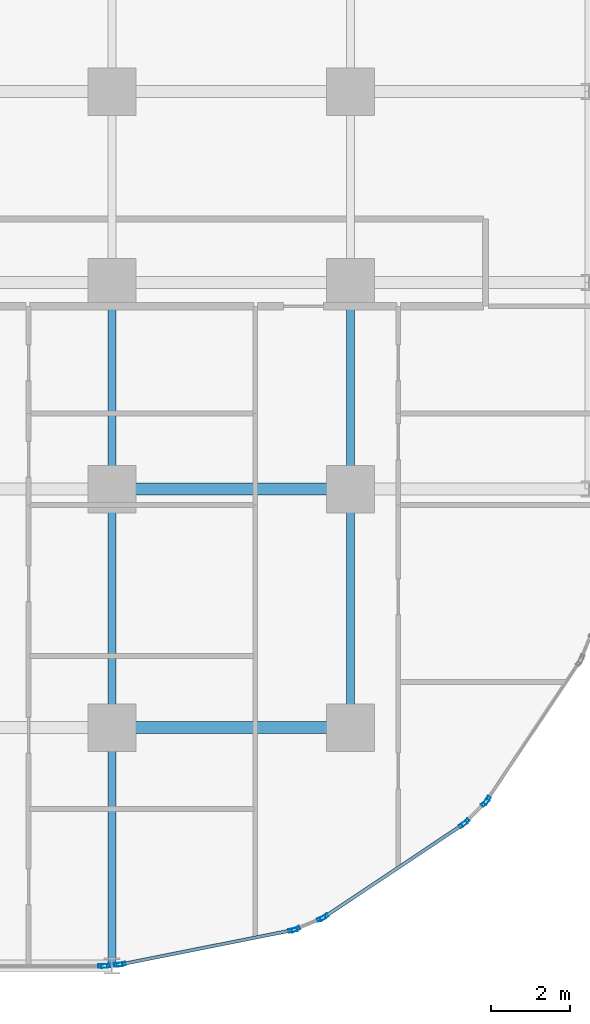
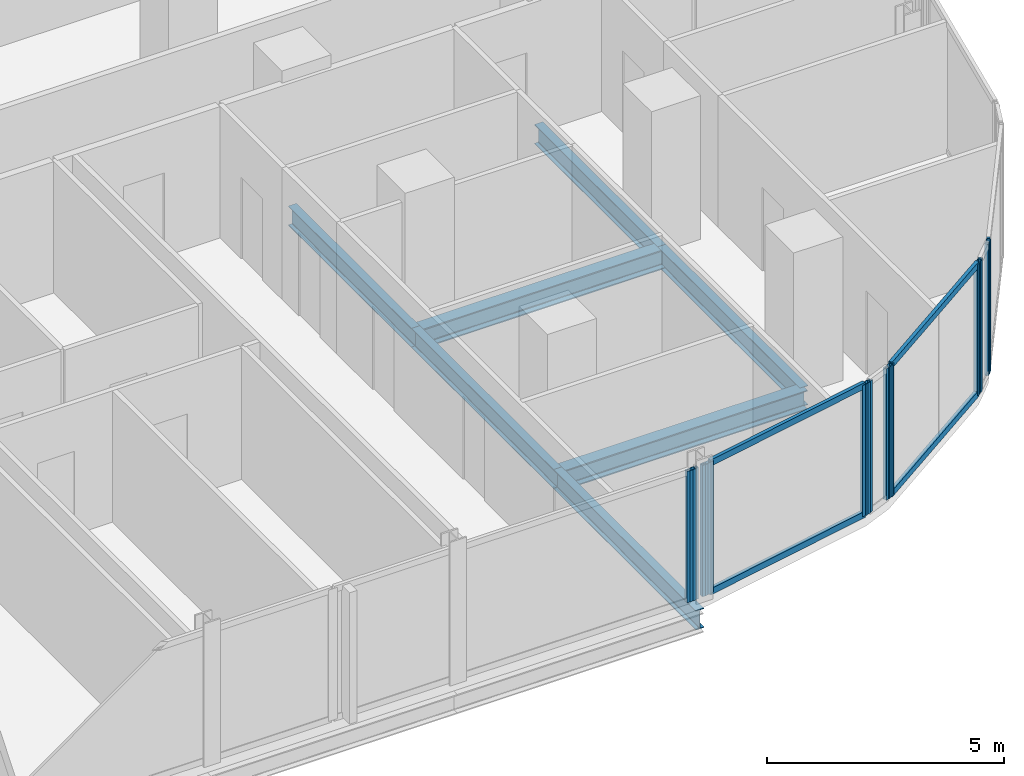
# One storey, part 10 of 34: 16 members, 7 beams, 7 elements without a shape of their own.
"""IFC4 building model written with IfcOpenShell, lengths in metres."""

from ifc_helpers import new_model, si_unit, direction, frame, origin, origin_2d, place, context, subcontext, project, spatial, hollow_rectangle, i_section, extrude, material, layer, layer_set, material_profile, profile_set, type_object, element, aggregate, save


model = new_model("IFC4")

# Units and contexts
model_context = context("Model", 3, precision=1e-05, world=origin(), true_north=direction((0.0, 1.0)))
body_context = subcontext(model_context, "Body", "Model", "MODEL_VIEW")
ifc_project = project(units=[si_unit("LENGTHUNIT", "METRE"), si_unit("AREAUNIT", "SQUARE_METRE"), si_unit("VOLUMEUNIT", "CUBIC_METRE"), si_unit("PLANEANGLEUNIT", "RADIAN"), si_unit("MASSUNIT", "GRAM", prefix="KILO")], contexts=[model_context])

# Site, building, storey
site_placement = place(None, origin())
site = spatial("IfcSite", under=ifc_project, at=site_placement, CompositionType="ELEMENT")
building_placement = place(site_placement, origin())
building = spatial("IfcBuilding", under=site, at=building_placement, Name="Keshet Zoharim Tower", CompositionType="ELEMENT")
storey_placement = place(building_placement, frame((0.0, 0.0, 70.10009765625)))
storey = spatial("IfcBuildingStorey", under=building, at=storey_placement, Name="L16", CompositionType="ELEMENT", Elevation=70.10009765625)

# Beams
ifc_material_1 = material(Name="Steel S355", Category="steel")
ifc_material_profile_1 = material_profile(ifc_material_1, i_section(OverallWidth=0.199951171875, OverallDepth=0.5, WebThickness=0.01025390625, FlangeThickness=0.01611328125, FilletRadius=0.02099609375, at=origin_2d()), Name="IPE500")
ifc_profile_set_1 = profile_set([ifc_material_profile_1], Name="Steel S355")
beam_type_1 = type_object("IfcBeamType", Name="BM-PRI-IP500", PredefinedType="BEAM", material=ifc_profile_set_1)
for number, where, z_axis, x_axis, name in (
    (1, (57.0, 0.699951171875, -0.565185546875), (0.0, 1.0, 0.0), (-1.0, 0.0, 0.0), "L16 Primary Girder Y-013"),
    (2, (57.0, 6.699951171875, -0.565185546875), (0.0, 1.0, 0.0), (-1.0, 0.0, 0.0), "L16 Primary Girder Y-014"),
):
    element("IfcBeam", number, at=place(storey_placement, frame(where, z_axis=z_axis, x_axis=x_axis)), inside=storey, type_object=beam_type_1, Name=name, PredefinedType="BEAM", context=body_context, shape_type="SweptSolid", body=[
        extrude(i_section(OverallWidth=0.199951171875, OverallDepth=0.5, WebThickness=0.01025390625, FlangeThickness=0.01611328125, FilletRadius=0.02099609375, at=origin_2d()), origin(), (0.0, 0.0, 1.0), 6.0),
    ])
beam_1_placement = place(storey_placement, frame((57.0, 12.699951171875, -0.565185546875), z_axis=(0.0, 1.0, 0.0), x_axis=(-1.0, 0.0, 0.0)))
element("IfcBeam", 3, at=beam_1_placement, inside=storey, type_object=beam_type_1, Name="L16 Primary Girder Y-015", PredefinedType="BEAM", context=body_context, shape_type="SweptSolid", body=[
    extrude(i_section(OverallWidth=0.199951171875, OverallDepth=0.5, WebThickness=0.01025390625, FlangeThickness=0.01611328125, FilletRadius=0.02099609375, at=origin_2d()), origin(), (0.0, 0.0, 1.0), 5.199951171875),
])
beam_2_placement = place(storey_placement, frame((63.0, 6.699951171875, -0.565185546875), z_axis=(0.0, 1.0, 0.0), x_axis=(-1.0, 0.0, 0.0)))
element("IfcBeam", 4, at=beam_2_placement, inside=storey, type_object=beam_type_1, Name="L16 Primary Girder Y-018", PredefinedType="BEAM", context=body_context, shape_type="SweptSolid", body=[
    extrude(i_section(OverallWidth=0.199951171875, OverallDepth=0.5, WebThickness=0.01025390625, FlangeThickness=0.01611328125, FilletRadius=0.02099609375, at=origin_2d()), origin(), (0.0, 0.0, 1.0), 6.0),
])
beam_3_placement = place(storey_placement, frame((63.0, 12.699951171875, -0.565185546875), z_axis=(0.0, 1.0, 0.0), x_axis=(-1.0, 0.0, 0.0)))
element("IfcBeam", 5, at=beam_3_placement, inside=storey, type_object=beam_type_1, Name="L16 Primary Girder Y-019", PredefinedType="BEAM", context=body_context, shape_type="SweptSolid", body=[
    extrude(i_section(OverallWidth=0.199951171875, OverallDepth=0.5, WebThickness=0.01025390625, FlangeThickness=0.01611328125, FilletRadius=0.02099609375, at=origin_2d()), origin(), (0.0, 0.0, 1.0), 5.199951171875),
])
ifc_material_profile_2 = material_profile(ifc_material_1, i_section(OverallWidth=0.300048828125, OverallDepth=0.5, WebThickness=0.014404296875, FlangeThickness=0.028076171875, FilletRadius=0.027099609375, at=origin_2d()), Name="HEB500")
ifc_profile_set_2 = profile_set([ifc_material_profile_2], Name="Steel S355")
beam_type_2 = type_object("IfcBeamType", Name="BM-WEB-HB500", PredefinedType="BEAM", material=ifc_profile_set_2)
for number, where, z_axis, x_axis, name in (
    (6, (57.0, 6.699951171875, -0.565185546875), (1.0, 0.0, 0.0), (0.0, 1.0, 0.0), "L16 Primary Girder X-010"),
    (7, (57.0, 12.699951171875, -0.565185546875), (1.0, 0.0, 0.0), (0.0, 1.0, 0.0), "L16 Primary Girder X-013"),
):
    element("IfcBeam", number, at=place(storey_placement, frame(where, z_axis=z_axis, x_axis=x_axis)), inside=storey, type_object=beam_type_2, Name=name, PredefinedType="BEAM", context=body_context, shape_type="SweptSolid", body=[
        extrude(i_section(OverallWidth=0.300048828125, OverallDepth=0.5, WebThickness=0.014404296875, FlangeThickness=0.028076171875, FilletRadius=0.027099609375, at=origin_2d()), origin(), (0.0, 0.0, 1.0), 6.0),
    ])

# Curtain wall, member
ifc_material_2 = material(Name="Aluminium 6063-T6", Category="aluminium")
ifc_layer = layer(ifc_material_2, 0.179931640625)
ifc_layer_set = layer_set([ifc_layer], Name="Aluminium 6063-T6")
curtain_wall_type = type_object("IfcCurtainWallType", Name="CW-SYS-01", PredefinedType="NOTDEFINED", material=ifc_layer_set)
curtain_wall_1_placement = place(storey_placement, origin())
curtain_wall_1 = element("IfcCurtainWall", 8, at=curtain_wall_1_placement, inside=storey, type_object=curtain_wall_type, Name="L16 Unitised Curtain Wall 20", PredefinedType="NOTDEFINED")
ifc_material_profile_3 = material_profile(ifc_material_2, hollow_rectangle(XDim=0.090087890625, YDim=0.219970703125, WallThickness=0.0048828125, at=origin_2d()), Name="MUL-90x220")
ifc_profile_set_3 = profile_set([ifc_material_profile_3], Name="Aluminium 6063-T6")
member_type_1 = type_object("IfcMemberType", Name="CWM-M22", PredefinedType="MULLION", material=ifc_profile_set_3)
member_1_placement = place(storey_placement, frame((66.432373046875, 4.8671875, 0.0), z_axis=(0.0, 0.0, 1.0), x_axis=(0.831474282335, -0.555563243758, 0.0)))
member_1 = element("IfcMember", 9, at=member_1_placement, type_object=member_type_1, Name="CW-01 mullion 2", PredefinedType="MULLION", context=body_context, shape_type="SweptSolid", body=[
    extrude(hollow_rectangle(XDim=0.090087890625, YDim=0.219970703125, WallThickness=0.0048828125, at=origin_2d()), origin(), (0.0, 0.0, 1.0), 3.385009765625),
])
aggregate(curtain_wall_1, [member_1])

# Curtain wall, members
curtain_wall_2_placement = place(storey_placement, origin())
curtain_wall_2 = element("IfcCurtainWall", 10, at=curtain_wall_2_placement, inside=storey, type_object=curtain_wall_type, Name="L16 Unitised Curtain Wall 21", PredefinedType="NOTDEFINED")
member_2_placement = place(storey_placement, frame((66.38818359375, 4.813232421875, 0.0), z_axis=(0.0, 0.0, 1.0), x_axis=(0.707106781187, -0.707106781187, 0.0)))
member_2 = element("IfcMember", 11, at=member_2_placement, type_object=member_type_1, Name="CW-01 mullion 1", PredefinedType="MULLION", context=body_context, shape_type="SweptSolid", body=[
    extrude(hollow_rectangle(XDim=0.090087890625, YDim=0.219970703125, WallThickness=0.0048828125, at=origin_2d()), origin(), (0.0, 0.0, 1.0), 3.385009765625),
])
member_3_placement = place(storey_placement, frame((65.88671875, 4.311767578125, 0.0), z_axis=(0.0, 0.0, 1.0), x_axis=(0.707106781187, -0.707106781187, 0.0)))
member_3 = element("IfcMember", 12, at=member_3_placement, type_object=member_type_1, Name="CW-01 mullion 2", PredefinedType="MULLION", context=body_context, shape_type="SweptSolid", body=[
    extrude(hollow_rectangle(XDim=0.090087890625, YDim=0.219970703125, WallThickness=0.0048828125, at=origin_2d()), origin(), (0.0, 0.0, 1.0), 3.385009765625),
])
aggregate(curtain_wall_2, [member_2, member_3])

curtain_wall_3_placement = place(storey_placement, origin())
curtain_wall_3 = element("IfcCurtainWall", 13, at=curtain_wall_3_placement, inside=storey, type_object=curtain_wall_type, Name="L16 Unitised Curtain Wall 22", PredefinedType="NOTDEFINED")
member_4_placement = place(storey_placement, frame((65.8330078125, 4.267578125, 0.0), z_axis=(0.0, 0.0, 1.0), x_axis=(0.555563243758, -0.831474282335, 0.0)))
member_4 = element("IfcMember", 14, at=member_4_placement, type_object=member_type_1, Name="CW-01 mullion 1", PredefinedType="MULLION", context=body_context, shape_type="SweptSolid", body=[
    extrude(hollow_rectangle(XDim=0.090087890625, YDim=0.219970703125, WallThickness=0.0048828125, at=origin_2d()), origin(), (0.0, 0.0, 1.0), 3.385009765625),
])
member_5_placement = place(storey_placement, frame((62.335205078125, 1.930419921875, 0.0), z_axis=(0.0, 0.0, 1.0), x_axis=(0.555563243758, -0.831474282335, 0.0)))
member_5 = element("IfcMember", 15, at=member_5_placement, type_object=member_type_1, Name="CW-01 mullion 2", PredefinedType="MULLION", context=body_context, shape_type="SweptSolid", body=[
    extrude(hollow_rectangle(XDim=0.090087890625, YDim=0.219970703125, WallThickness=0.0048828125, at=origin_2d()), origin(), (0.0, 0.0, 1.0), 3.385009765625),
])

curtain_wall_4_placement = place(storey_placement, origin())
curtain_wall_4 = element("IfcCurtainWall", 16, at=curtain_wall_4_placement, inside=storey, type_object=curtain_wall_type, Name="L16 Unitised Curtain Wall 23", PredefinedType="NOTDEFINED")
member_6_placement = place(storey_placement, frame((62.273681640625, 1.897705078125, 0.0), z_axis=(0.0, 0.0, 1.0), x_axis=(0.383068349739, -0.923720000557, 0.0)))
member_6 = element("IfcMember", 17, at=member_6_placement, type_object=member_type_1, Name="CW-01 mullion 1", PredefinedType="MULLION", context=body_context, shape_type="SweptSolid", body=[
    extrude(hollow_rectangle(XDim=0.090087890625, YDim=0.219970703125, WallThickness=0.0048828125, at=origin_2d()), origin(), (0.0, 0.0, 1.0), 3.385009765625),
])
member_7_placement = place(storey_placement, frame((61.617431640625, 1.62548828125, 0.0), z_axis=(0.0, 0.0, 1.0), x_axis=(0.383068349739, -0.923720000557, 0.0)))
member_7 = element("IfcMember", 18, at=member_7_placement, type_object=member_type_1, Name="CW-01 mullion 2", PredefinedType="MULLION", context=body_context, shape_type="SweptSolid", body=[
    extrude(hollow_rectangle(XDim=0.090087890625, YDim=0.219970703125, WallThickness=0.0048828125, at=origin_2d()), origin(), (0.0, 0.0, 1.0), 3.385009765625),
])
aggregate(curtain_wall_4, [member_6, member_7])

curtain_wall_5_placement = place(storey_placement, origin())
curtain_wall_5 = element("IfcCurtainWall", 19, at=curtain_wall_5_placement, inside=storey, type_object=curtain_wall_type, Name="L16 Unitised Curtain Wall 24", PredefinedType="NOTDEFINED")
member_8_placement = place(storey_placement, frame((61.55078125, 1.605224609375, 0.0), z_axis=(0.0, 0.0, 1.0), x_axis=(0.195171279072, -0.98076917357, 0.0)))
member_8 = element("IfcMember", 20, at=member_8_placement, type_object=member_type_1, Name="CW-01 mullion 1", PredefinedType="MULLION", context=body_context, shape_type="SweptSolid", body=[
    extrude(hollow_rectangle(XDim=0.090087890625, YDim=0.219970703125, WallThickness=0.0048828125, at=origin_2d()), origin(), (0.0, 0.0, 1.0), 3.385009765625),
])
member_9_placement = place(storey_placement, frame((57.227294921875, 0.744873046875, 0.0), z_axis=(0.0, 0.0, 1.0), x_axis=(0.195171279072, -0.98076917357, 0.0)))
member_9 = element("IfcMember", 21, at=member_9_placement, type_object=member_type_1, Name="CW-01 mullion 2", PredefinedType="MULLION", context=body_context, shape_type="SweptSolid", body=[
    extrude(hollow_rectangle(XDim=0.090087890625, YDim=0.219970703125, WallThickness=0.0048828125, at=origin_2d()), origin(), (0.0, 0.0, 1.0), 3.385009765625),
])

curtain_wall_6_placement = place(storey_placement, origin())
curtain_wall_6 = element("IfcCurtainWall", 22, at=curtain_wall_6_placement, inside=storey, type_object=curtain_wall_type, Name="L16 Unitised Curtain Wall 25", PredefinedType="NOTDEFINED")
member_10_placement = place(storey_placement, frame((57.158203125, 0.734619140625, 0.0), z_axis=(0.0, 0.0, 1.0), x_axis=(0.096976648633, -0.995286657009, 0.0)))
member_10 = element("IfcMember", 23, at=member_10_placement, type_object=member_type_1, Name="CW-01 mullion 1", PredefinedType="MULLION", context=body_context, shape_type="SweptSolid", body=[
    extrude(hollow_rectangle(XDim=0.090087890625, YDim=0.219970703125, WallThickness=0.0048828125, at=origin_2d()), origin(), (0.0, 0.0, 1.0), 3.385009765625),
])
member_11_placement = place(storey_placement, frame((56.837890625, 0.703369140625, 0.0), z_axis=(0.0, 0.0, 1.0), x_axis=(0.096976648633, -0.995286657009, 0.0)))
member_11 = element("IfcMember", 24, at=member_11_placement, type_object=member_type_1, Name="CW-01 mullion 2", PredefinedType="MULLION", context=body_context, shape_type="SweptSolid", body=[
    extrude(hollow_rectangle(XDim=0.090087890625, YDim=0.219970703125, WallThickness=0.0048828125, at=origin_2d()), origin(), (0.0, 0.0, 1.0), 3.385009765625),
])
aggregate(curtain_wall_6, [member_10, member_11])

# Curtain wall, member
curtain_wall_7_placement = place(storey_placement, origin())
curtain_wall_7 = element("IfcCurtainWall", 25, at=curtain_wall_7_placement, inside=storey, type_object=curtain_wall_type, Name="L16 Unitised Curtain Wall 26", PredefinedType="NOTDEFINED")
member_12_placement = place(storey_placement, frame((56.76806640625, 0.699951171875, 0.0), z_axis=(0.0, 0.0, 1.0), x_axis=(0.0, -1.0, 0.0)))
member_12 = element("IfcMember", 26, at=member_12_placement, type_object=member_type_1, Name="CW-01 mullion 1", PredefinedType="MULLION", context=body_context, shape_type="SweptSolid", body=[
    extrude(hollow_rectangle(XDim=0.090087890625, YDim=0.219970703125, WallThickness=0.0048828125, at=origin_2d()), origin(), (0.0, 0.0, 1.0), 3.385009765625),
])
aggregate(curtain_wall_7, [member_12])

# Member
ifc_material_profile_4 = material_profile(ifc_material_2, hollow_rectangle(XDim=0.0849609375, YDim=0.159912109375, WallThickness=0.00439453125, at=origin_2d()), Name="TRN-85x160")
ifc_profile_set_4 = profile_set([ifc_material_profile_4], Name="Aluminium 6063-T6")
member_type_2 = type_object("IfcMemberType", Name="CWT-T16", PredefinedType="USERDEFINED", material=ifc_profile_set_4)
member_13_placement = place(storey_placement, frame((65.8037109375, 4.248046875, 0.034912109375), z_axis=(-0.831477809106, -0.55555796544, 0.0), x_axis=(0.55555796544, -0.831477809106, 0.0)))
member_13 = element("IfcMember", 27, at=member_13_placement, type_object=member_type_2, Name="CW-01 transom 1.1", ObjectType="TRANSOM", PredefinedType="USERDEFINED", context=body_context, shape_type="SweptSolid", body=[
    extrude(hollow_rectangle(XDim=0.0849609375, YDim=0.159912109375, WallThickness=0.00439453125, at=origin_2d()), origin(), (0.0, 0.0, 1.0), 4.136474609375),
])

member_14_placement = place(storey_placement, frame((65.8037109375, 4.248046875, 3.349853515625), z_axis=(-0.831477809106, -0.55555796544, 0.0), x_axis=(0.55555796544, -0.831477809106, 0.0)))
member_14 = element("IfcMember", 28, at=member_14_placement, type_object=member_type_2, Name="CW-01 transom 1.2", ObjectType="TRANSOM", PredefinedType="USERDEFINED", context=body_context, shape_type="SweptSolid", body=[
    extrude(hollow_rectangle(XDim=0.0849609375, YDim=0.159912109375, WallThickness=0.00439453125, at=origin_2d()), origin(), (0.0, 0.0, 1.0), 4.136474609375),
])

aggregate(curtain_wall_3, [member_4, member_5, member_13, member_14])

member_15_placement = place(storey_placement, frame((61.516357421875, 1.598388671875, 0.034912109375), z_axis=(-0.980768540739, -0.195174459131, 0.0), x_axis=(0.195174459131, -0.980768540739, 0.0)))
member_15 = element("IfcMember", 29, at=member_15_placement, type_object=member_type_2, Name="CW-01 transom 1.1", ObjectType="TRANSOM", PredefinedType="USERDEFINED", context=body_context, shape_type="SweptSolid", body=[
    extrude(hollow_rectangle(XDim=0.0849609375, YDim=0.159912109375, WallThickness=0.00439453125, at=origin_2d()), origin(), (0.0, 0.0, 1.0), 4.338134765625),
])

member_16_placement = place(storey_placement, frame((61.516357421875, 1.598388671875, 3.349853515625), z_axis=(-0.980768540739, -0.195174459131, 0.0), x_axis=(0.195174459131, -0.980768540739, 0.0)))
member_16 = element("IfcMember", 30, at=member_16_placement, type_object=member_type_2, Name="CW-01 transom 1.2", ObjectType="TRANSOM", PredefinedType="USERDEFINED", context=body_context, shape_type="SweptSolid", body=[
    extrude(hollow_rectangle(XDim=0.0849609375, YDim=0.159912109375, WallThickness=0.00439453125, at=origin_2d()), origin(), (0.0, 0.0, 1.0), 4.338134765625),
])

aggregate(curtain_wall_5, [member_8, member_9, member_15, member_16])

save(model, "model.ifc")
